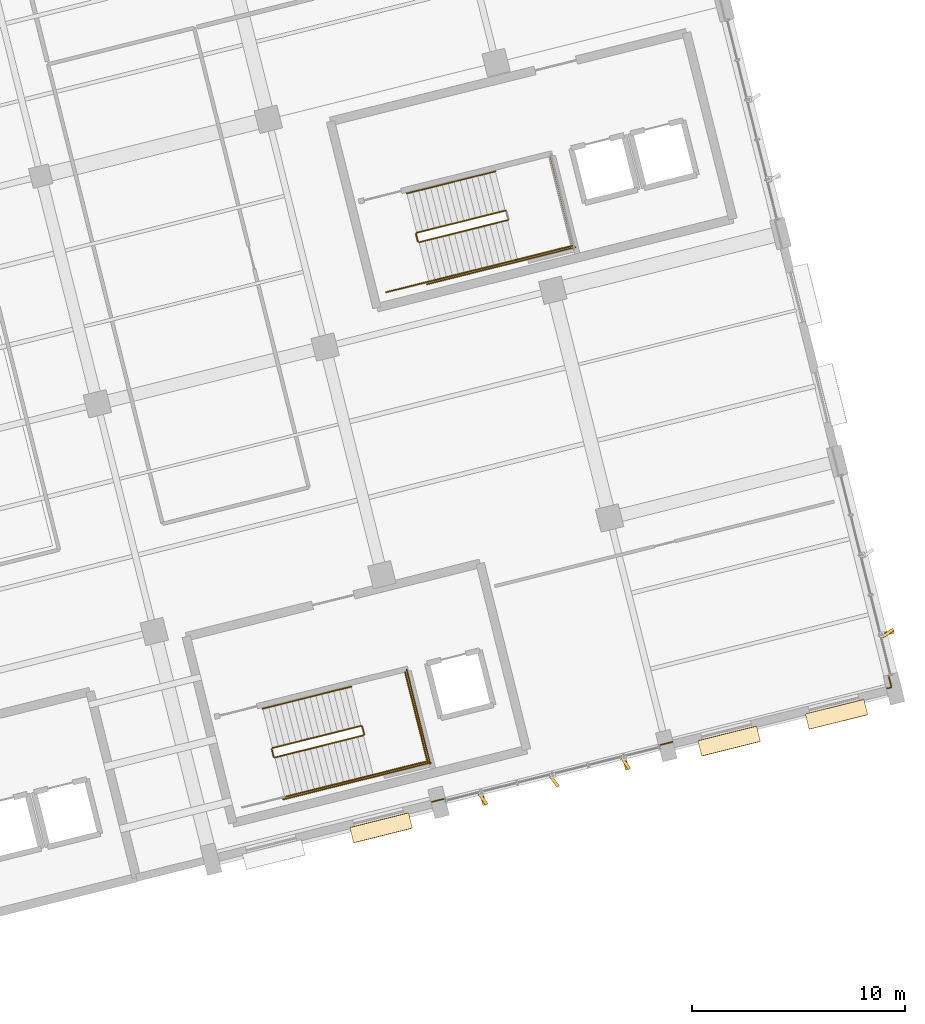
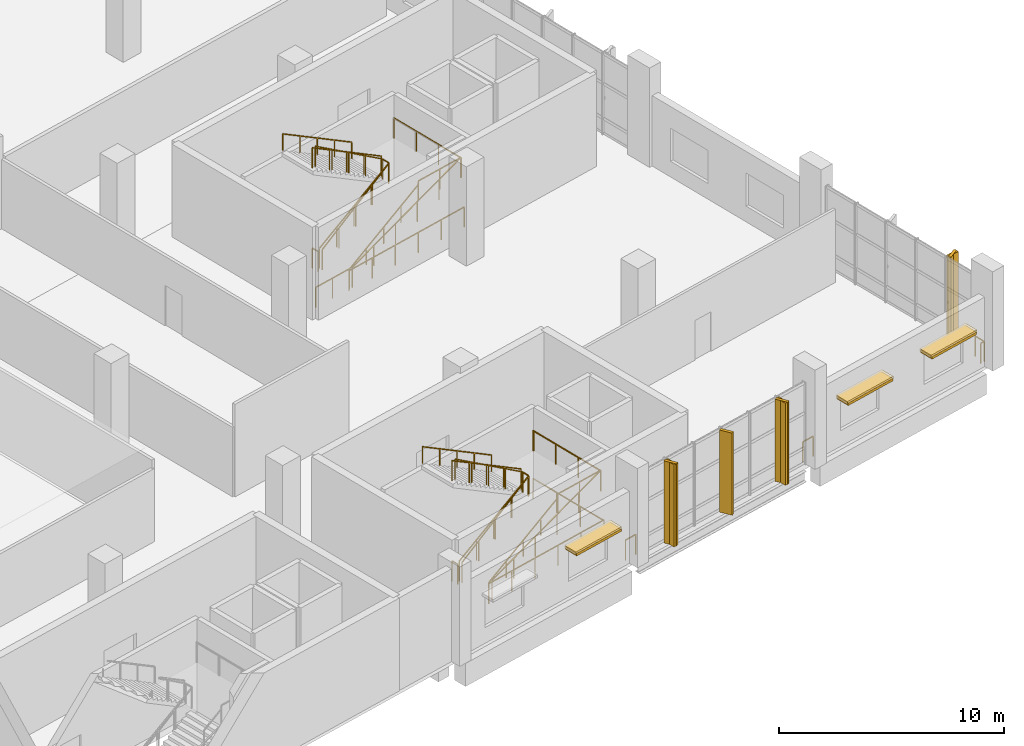
# One storey, part 169 of 176: 25 railings, 7 shading devices, 6 coverings.
"""IFC4 building model written with IfcOpenShell, lengths in metres."""

from ifc_helpers import new_model, si_unit, direction, frame, origin, origin_2d, place, context, subcontext, project, spatial, rectangle, extrude, material, layer, layer_set, type_object, element, save


model = new_model("IFC4")

# Units and contexts
model_context = context("Model", 3, precision=1e-05, world=origin(), true_north=direction((0.0, 1.0)))
body_context = subcontext(model_context, "Body", "Model", "MODEL_VIEW")
ifc_project = project(units=[si_unit("LENGTHUNIT", "METRE"), si_unit("AREAUNIT", "SQUARE_METRE"), si_unit("VOLUMEUNIT", "CUBIC_METRE"), si_unit("PLANEANGLEUNIT", "RADIAN"), si_unit("MASSUNIT", "GRAM", prefix="KILO")], contexts=[model_context])

# Site, building, storey
site_placement = place(None, origin())
site = spatial("IfcSite", under=ifc_project, at=site_placement, CompositionType="ELEMENT")
building_placement = place(site_placement, origin())
building = spatial("IfcBuilding", under=site, at=building_placement, Name="Khorjan Park Terminus", CompositionType="ELEMENT")
storey_placement = place(building_placement, frame((0.0, 0.0, 6.0)))
storey = spatial("IfcBuildingStorey", under=building, at=storey_placement, Name="L01", CompositionType="ELEMENT", Elevation=6.0)

# Coverings
ifc_material_1 = material(Name="Pigmented Precast GRC", Category="concrete")
ifc_layer_1 = layer(ifc_material_1, 0.16)
ifc_layer_set_1 = layer_set([ifc_layer_1], Name="Pigmented Precast GRC")
covering_type_1 = type_object("IfcCoveringType", Name="CV-FIN-GRC", PredefinedType="CLADDING", material=ifc_layer_set_1)
for number, where, z_axis, x_axis, name in (
    (1, (210.7713, 12.7969, -0.02), (0.0, 0.0, 1.0), (-0.2419218956, 0.970295726276, 0.0), "Projecting desert-sandstone GRC facade fin CL-FN1 (CW-V5-S-L01-B05-1)"),
    (2, (217.4597, 14.4644, -0.02), (0.0, 0.0, 1.0), (-0.2419218956, 0.970295726276, 0.0), "Projecting desert-sandstone GRC facade fin CL-FN1 (CW-V5-S-L01-B05-5)"),
):
    element("IfcCovering", number, at=place(storey_placement, frame(where, z_axis=z_axis, x_axis=x_axis)), inside=storey, type_object=covering_type_1, Name=name, PredefinedType="CLADDING", context=body_context, shape_type="SweptSolid", body=[
        extrude(rectangle(XDim=0.58, YDim=0.16, at=origin_2d()), origin(), (0.0, 0.0, 1.0), 4.465),
    ])
covering_placement = place(storey_placement, frame((229.7531, 20.5833, -0.02), z_axis=(0.0, 0.0, 1.0), x_axis=(-0.970295726276, -0.2419218956, 0.0)))
element("IfcCovering", 3, at=covering_placement, inside=storey, type_object=covering_type_1, Name="Projecting desert-sandstone GRC facade fin CL-FN1 (CW-V5-E-L01-B01-1)", PredefinedType="CLADDING", context=body_context, shape_type="SweptSolid", body=[
    extrude(rectangle(XDim=0.58, YDim=0.16, at=origin_2d()), origin(), (0.0, 0.0, 1.0), 4.425),
])
ifc_layer_2 = layer(ifc_material_1, 0.18)
ifc_layer_set_2 = layer_set([ifc_layer_2], Name="Pigmented Precast GRC")
covering_type_2 = type_object("IfcCoveringType", Name="CV-HOOD-GRC", PredefinedType="CLADDING", material=ifc_layer_set_2)
for number, where, z_axis, x_axis, name in (
    (4, (205.9941, 11.4512, 2.73), (0.0, 0.0, 1.0), (0.970293766672, 0.241929755007, 0.0), "Projecting desert-sandstone GRC window eyebrow CL-HD1 (EW-V5-S-L01-B04-2)"),
    (5, (222.3096, 15.5191, 2.73), (0.0, 0.0, 1.0), (0.970298281519, 0.241911646849, 0.0), "Projecting desert-sandstone GRC window eyebrow CL-HD1 (EW-V5-S-L01-B06-1)"),
    (6, (227.3408, 16.7735, 2.73), (0.0, 0.0, 1.0), (0.970298281519, 0.241911646849, 0.0), "Projecting desert-sandstone GRC window eyebrow CL-HD1 (EW-V5-S-L01-B06-2)"),
):
    element("IfcCovering", number, at=place(storey_placement, frame(where, z_axis=z_axis, x_axis=x_axis)), inside=storey, type_object=covering_type_2, Name=name, PredefinedType="CLADDING", context=body_context, shape_type="SweptSolid", body=[
        extrude(rectangle(XDim=2.84, YDim=0.74, at=origin_2d()), origin(), (0.0, 0.0, 1.0), 0.16),
    ])

# Railings
ifc_material_2 = material(Name="Steel S355", Category="steel")
railing_type_1 = type_object("IfcRailingType", Name="GR-112", PredefinedType="GUARDRAIL", material=ifc_material_2)
railing_1_placement = place(storey_placement, frame((207.7735, 38.902, 0.1688)))
element("IfcRailing", 7, at=railing_1_placement, inside=storey, type_object=railing_type_1, Name="L01 ST-04 stair guard 1", PredefinedType="GUARDRAIL", context=body_context, shape_type="SweptSolid", body=[
    extrude(rectangle(XDim=0.048, YDim=0.048, at=origin_2d()), frame((0.0, 0.0, 1.096), z_axis=(0.8349160709, 0.208185557409, 0.509483982319), x_axis=(-0.241941153167, 0.970290924622, 0.0)), (0.0, 0.0, 1.0), 4.9682),
    extrude(rectangle(XDim=0.042, YDim=0.042, at=origin_2d()), origin(), (0.0, 0.0, 1.0), 1.072),
    extrude(rectangle(XDim=0.042, YDim=0.042, at=origin_2d()), frame((1.037, 0.2586, 0.6328)), (0.0, 0.0, 1.0), 1.072),
    extrude(rectangle(XDim=0.042, YDim=0.042, at=origin_2d()), frame((2.074, 0.5172, 1.2656)), (0.0, 0.0, 1.0), 1.072),
    extrude(rectangle(XDim=0.042, YDim=0.042, at=origin_2d()), frame((3.111, 0.7757, 1.8984)), (0.0, 0.0, 1.0), 1.072),
    extrude(rectangle(XDim=0.042, YDim=0.042, at=origin_2d()), frame((4.148, 1.0343, 2.5312)), (0.0, 0.0, 1.0), 1.072),
])
railing_2_placement = place(storey_placement, frame((212.3811, 38.0927, 2.7)))
element("IfcRailing", 8, at=railing_2_placement, inside=storey, type_object=railing_type_1, Name="L01 ST-04 stair guard 3", PredefinedType="GUARDRAIL", context=body_context, shape_type="SweptSolid", body=[
    extrude(rectangle(XDim=0.048, YDim=0.048, at=origin_2d()), frame((0.0, 0.0, 1.096), z_axis=(0.970299010002, 0.241908724911, 0.0), x_axis=(-0.241908724911, 0.970299010002, 0.0)), (0.0, 0.0, 1.0), 2.6651),
    extrude(rectangle(XDim=0.042, YDim=0.042, at=origin_2d()), origin(), (0.0, 0.0, 1.0), 1.072),
    extrude(rectangle(XDim=0.042, YDim=0.042, at=origin_2d()), frame((1.293, 0.3224, 0.0)), (0.0, 0.0, 1.0), 1.072),
    extrude(rectangle(XDim=0.042, YDim=0.042, at=origin_2d()), frame((2.5859, 0.6447, 0.0)), (0.0, 0.0, 1.0), 1.072),
])
railing_3_placement = place(storey_placement, frame((211.8102, 40.3826, 2.8688)))
element("IfcRailing", 9, at=railing_3_placement, inside=storey, type_object=railing_type_1, Name="L01 ST-04 stair guard 5", PredefinedType="GUARDRAIL", context=body_context, shape_type="SweptSolid", body=[
    extrude(rectangle(XDim=0.048, YDim=0.048, at=origin_2d()), frame((0.0, 0.0, 1.096), z_axis=(-0.834919569378, -0.208166301507, 0.509486117167), x_axis=(0.241919130453, -0.9702964157, 0.0)), (0.0, 0.0, 1.0), 4.9681),
    extrude(rectangle(XDim=0.042, YDim=0.042, at=origin_2d()), origin(), (0.0, 0.0, 1.0), 1.072),
    extrude(rectangle(XDim=0.042, YDim=0.042, at=origin_2d()), frame((-1.037, -0.2585, 0.6328)), (0.0, 0.0, 1.0), 1.072),
    extrude(rectangle(XDim=0.042, YDim=0.042, at=origin_2d()), frame((-2.074, -0.5171, 1.2656)), (0.0, 0.0, 1.0), 1.072),
    extrude(rectangle(XDim=0.042, YDim=0.042, at=origin_2d()), frame((-3.111, -0.7756, 1.8984)), (0.0, 0.0, 1.0), 1.072),
    extrude(rectangle(XDim=0.042, YDim=0.042, at=origin_2d()), frame((-4.148, -1.0342, 2.5312)), (0.0, 0.0, 1.0), 1.072),
])
railing_4_placement = place(storey_placement, frame((207.7129, 38.9385, 0.0)))
element("IfcRailing", 10, at=railing_4_placement, inside=storey, type_object=railing_type_1, Name="L01 ST-04 stair guard 6", PredefinedType="GUARDRAIL", context=body_context, shape_type="SweptSolid", body=[
    extrude(rectangle(XDim=0.048, YDim=0.048, at=origin_2d()), frame((0.0, 0.0, 1.096), z_axis=(-0.241947338122, 0.970289382388, 0.0), x_axis=(-0.970289382388, -0.241947338122, 0.0)), (0.0, 0.0, 1.0), 0.36),
    extrude(rectangle(XDim=0.042, YDim=0.042, at=origin_2d()), origin(), (0.0, 0.0, 1.0), 1.072),
    extrude(rectangle(XDim=0.042, YDim=0.042, at=origin_2d()), frame((-0.0871, 0.3493, 0.0)), (0.0, 0.0, 1.0), 1.072),
])
railing_5_placement = place(storey_placement, frame((206.2343, 36.5601, 0.0)))
element("IfcRailing", 11, at=railing_5_placement, inside=storey, type_object=railing_type_1, Name="L01 ST-04 stair guard 7", PredefinedType="GUARDRAIL", context=body_context, shape_type="SweptSolid", body=[
    extrude(rectangle(XDim=0.048, YDim=0.048, at=origin_2d()), frame((0.0, 0.0, 1.096), z_axis=(0.97029080484, 0.241941633546, 0.0), x_axis=(-0.241941633546, 0.97029080484, 0.0)), (0.0, 0.0, 1.0), 2.06),
    extrude(rectangle(XDim=0.042, YDim=0.042, at=origin_2d()), origin(), (0.0, 0.0, 1.0), 1.072),
    extrude(rectangle(XDim=0.042, YDim=0.042, at=origin_2d()), frame((0.9994, 0.2492, 0.0)), (0.0, 0.0, 1.0), 1.072),
    extrude(rectangle(XDim=0.042, YDim=0.042, at=origin_2d()), frame((1.9988, 0.4984, 0.0)), (0.0, 0.0, 1.0), 1.072),
])
railing_6_placement = place(storey_placement, frame((208.1603, 36.9373, 0.0)))
element("IfcRailing", 12, at=railing_6_placement, inside=storey, type_object=railing_type_1, Name="L01 ST-04 stair guard 8", PredefinedType="GUARDRAIL", context=body_context, shape_type="SweptSolid", body=[
    extrude(rectangle(XDim=0.048, YDim=0.048, at=origin_2d()), frame((0.0, 0.0, 1.096), z_axis=(0.970296366402, 0.241919328178, 0.0), x_axis=(-0.241919328178, 0.970296366402, 0.0)), (0.0, 0.0, 1.0), 7.14),
    extrude(rectangle(XDim=0.042, YDim=0.042, at=origin_2d()), origin(), (0.0, 0.0, 1.0), 1.072),
    extrude(rectangle(XDim=0.042, YDim=0.042, at=origin_2d()), frame((1.3856, 0.3455, 0.0)), (0.0, 0.0, 1.0), 1.072),
    extrude(rectangle(XDim=0.042, YDim=0.042, at=origin_2d()), frame((2.7712, 0.6909, 0.0)), (0.0, 0.0, 1.0), 1.072),
    extrude(rectangle(XDim=0.042, YDim=0.042, at=origin_2d()), frame((4.1567, 1.0364, 0.0)), (0.0, 0.0, 1.0), 1.072),
    extrude(rectangle(XDim=0.042, YDim=0.042, at=origin_2d()), frame((5.5423, 1.3818, 0.0)), (0.0, 0.0, 1.0), 1.072),
    extrude(rectangle(XDim=0.042, YDim=0.042, at=origin_2d()), frame((6.9279, 1.7273, 0.0)), (0.0, 0.0, 1.0), 1.072),
])
railing_7_placement = place(storey_placement, frame((207.9457, 38.9553, 0.0)))
element("IfcRailing", 13, at=railing_7_placement, inside=storey, type_object=railing_type_1, Name="Core K4 stair well slot guard GR-112 (L01)", PredefinedType="GUARDRAIL", context=body_context, shape_type="SweptSolid", body=[
    extrude(rectangle(XDim=0.048, YDim=0.048, at=origin_2d()), frame((0.0, 0.0, 1.096), z_axis=(0.812440142396, 0.202553181406, 0.546729570926), x_axis=(-0.241909643258, 0.970298781046, 0.0)), (0.0, 0.0, 1.0), 4.9385),
    extrude(rectangle(XDim=0.048, YDim=0.048, at=origin_2d()), frame((4.0122, 1.0003, 3.796), z_axis=(-0.242000927221, 0.970276018061, 0.0), x_axis=(-0.970276018061, -0.242000927221, 0.0)), (0.0, 0.0, 1.0), 0.4401),
    extrude(rectangle(XDim=0.048, YDim=0.048, at=origin_2d()), frame((3.9057, 1.4273, 3.796), z_axis=(-0.812436809987, -0.202572599749, 0.54672732839), x_axis=(0.24193241153, -0.9702931043, 0.0)), (0.0, 0.0, 1.0), 4.9385),
    extrude(rectangle(XDim=0.042, YDim=0.042, at=origin_2d()), origin(), (0.0, 0.0, 1.0), 1.072),
    extrude(rectangle(XDim=0.042, YDim=0.042, at=origin_2d()), frame((1.0031, 0.2501, 0.675)), (0.0, 0.0, 1.0), 1.072),
    extrude(rectangle(XDim=0.042, YDim=0.042, at=origin_2d()), frame((2.0061, 0.5001, 1.35)), (0.0, 0.0, 1.0), 1.072),
    extrude(rectangle(XDim=0.042, YDim=0.042, at=origin_2d()), frame((3.0092, 0.7502, 2.025)), (0.0, 0.0, 1.0), 1.072),
    extrude(rectangle(XDim=0.042, YDim=0.042, at=origin_2d()), frame((4.0122, 1.0003, 2.7)), (0.0, 0.0, 1.0), 1.072),
    extrude(rectangle(XDim=0.042, YDim=0.042, at=origin_2d()), frame((3.9057, 1.4273, 2.7)), (0.0, 0.0, 1.0), 1.072),
    extrude(rectangle(XDim=0.042, YDim=0.042, at=origin_2d()), frame((2.9027, 1.1772, 3.375)), (0.0, 0.0, 1.0), 1.072),
    extrude(rectangle(XDim=0.042, YDim=0.042, at=origin_2d()), frame((1.8996, 0.9271, 4.05)), (0.0, 0.0, 1.0), 1.072),
    extrude(rectangle(XDim=0.042, YDim=0.042, at=origin_2d()), frame((0.8966, 0.677, 4.725)), (0.0, 0.0, 1.0), 1.072),
    extrude(rectangle(XDim=0.042, YDim=0.042, at=origin_2d()), frame((-0.1065, 0.4269, 5.4)), (0.0, 0.0, 1.0), 1.072),
])
railing_8_placement = place(storey_placement, frame((208.4102, 37.0923, 0.0)))
element("IfcRailing", 14, at=railing_8_placement, inside=storey, type_object=railing_type_1, Name="Core K4 stair side & landing guard GR-112 (L01)", PredefinedType="GUARDRAIL", context=body_context, shape_type="SweptSolid", body=[
    extrude(rectangle(XDim=0.048, YDim=0.048, at=origin_2d()), frame((0.0, 0.0, 1.096), z_axis=(0.900342256578, 0.224478008484, 0.372818246237), x_axis=(-0.241919330403, 0.970296365848, 0.0)), (0.0, 0.0, 1.0), 7.2421),
    extrude(rectangle(XDim=0.048, YDim=0.048, at=origin_2d()), frame((6.5204, 1.6257, 3.796), z_axis=(-0.2419363556, 0.970292120879, 0.0), x_axis=(-0.970292120879, -0.2419363556, 0.0)), (0.0, 0.0, 1.0), 4.2801),
    extrude(rectangle(XDim=0.042, YDim=0.042, at=origin_2d()), origin(), (0.0, 0.0, 1.0), 1.072),
    extrude(rectangle(XDim=0.042, YDim=0.042, at=origin_2d()), frame((1.3041, 0.3251, 0.54)), (0.0, 0.0, 1.0), 1.072),
    extrude(rectangle(XDim=0.042, YDim=0.042, at=origin_2d()), frame((2.6082, 0.6503, 1.08)), (0.0, 0.0, 1.0), 1.072),
    extrude(rectangle(XDim=0.042, YDim=0.042, at=origin_2d()), frame((3.9122, 0.9754, 1.62)), (0.0, 0.0, 1.0), 1.072),
    extrude(rectangle(XDim=0.042, YDim=0.042, at=origin_2d()), frame((5.2163, 1.3006, 2.16)), (0.0, 0.0, 1.0), 1.072),
    extrude(rectangle(XDim=0.042, YDim=0.042, at=origin_2d()), frame((6.5204, 1.6257, 2.7)), (0.0, 0.0, 1.0), 1.072),
    extrude(rectangle(XDim=0.042, YDim=0.042, at=origin_2d()), frame((6.1752, 3.01, 2.7)), (0.0, 0.0, 1.0), 1.072),
    extrude(rectangle(XDim=0.042, YDim=0.042, at=origin_2d()), frame((5.8301, 4.3943, 2.7)), (0.0, 0.0, 1.0), 1.072),
    extrude(rectangle(XDim=0.042, YDim=0.042, at=origin_2d()), frame((5.4849, 5.7786, 2.7)), (0.0, 0.0, 1.0), 1.072),
])
railing_9_placement = place(storey_placement, frame((201.0157, 14.7497, 0.1688)))
element("IfcRailing", 15, at=railing_9_placement, inside=storey, type_object=railing_type_1, Name="L01 ST-05 stair guard 1", PredefinedType="GUARDRAIL", context=body_context, shape_type="SweptSolid", body=[
    extrude(rectangle(XDim=0.048, YDim=0.048, at=origin_2d()), frame((0.0, 0.0, 1.096), z_axis=(0.8349160709, 0.208185557409, 0.509483982319), x_axis=(-0.241941153167, 0.970290924622, 0.0)), (0.0, 0.0, 1.0), 4.9682),
    extrude(rectangle(XDim=0.042, YDim=0.042, at=origin_2d()), origin(), (0.0, 0.0, 1.0), 1.072),
    extrude(rectangle(XDim=0.042, YDim=0.042, at=origin_2d()), frame((1.037, 0.2586, 0.6328)), (0.0, 0.0, 1.0), 1.072),
    extrude(rectangle(XDim=0.042, YDim=0.042, at=origin_2d()), frame((2.074, 0.5171, 1.2656)), (0.0, 0.0, 1.0), 1.072),
    extrude(rectangle(XDim=0.042, YDim=0.042, at=origin_2d()), frame((3.111, 0.7757, 1.8984)), (0.0, 0.0, 1.0), 1.072),
    extrude(rectangle(XDim=0.042, YDim=0.042, at=origin_2d()), frame((4.148, 1.0343, 2.5312)), (0.0, 0.0, 1.0), 1.072),
])
railing_10_placement = place(storey_placement, frame((205.2001, 15.8446, 2.7)))
element("IfcRailing", 16, at=railing_10_placement, inside=storey, type_object=railing_type_1, Name="L01 ST-05 stair guard 2", PredefinedType="GUARDRAIL", context=body_context, shape_type="SweptSolid", body=[
    extrude(rectangle(XDim=0.048, YDim=0.048, at=origin_2d()), frame((0.0, 0.0, 1.096), z_axis=(-0.241947338122, 0.970289382388, 0.0), x_axis=(-0.970289382388, -0.241947338122, 0.0)), (0.0, 0.0, 1.0), 0.36),
    extrude(rectangle(XDim=0.042, YDim=0.042, at=origin_2d()), origin(), (0.0, 0.0, 1.0), 1.072),
    extrude(rectangle(XDim=0.042, YDim=0.042, at=origin_2d()), frame((-0.0871, 0.3493, 0.0)), (0.0, 0.0, 1.0), 1.072),
])
railing_11_placement = place(storey_placement, frame((205.6233, 13.9404, 2.7)))
element("IfcRailing", 17, at=railing_11_placement, inside=storey, type_object=railing_type_1, Name="L01 ST-05 stair guard 3", PredefinedType="GUARDRAIL", context=body_context, shape_type="SweptSolid", body=[
    extrude(rectangle(XDim=0.048, YDim=0.048, at=origin_2d()), frame((0.0, 0.0, 1.096), z_axis=(0.970299010002, 0.241908724911, 0.0), x_axis=(-0.241908724911, 0.970299010002, 0.0)), (0.0, 0.0, 1.0), 2.6651),
    extrude(rectangle(XDim=0.042, YDim=0.042, at=origin_2d()), origin(), (0.0, 0.0, 1.0), 1.072),
    extrude(rectangle(XDim=0.042, YDim=0.042, at=origin_2d()), frame((1.293, 0.3224, 0.0)), (0.0, 0.0, 1.0), 1.072),
    extrude(rectangle(XDim=0.042, YDim=0.042, at=origin_2d()), frame((2.5859, 0.6447, 0.0)), (0.0, 0.0, 1.0), 1.072),
])
railing_12_placement = place(storey_placement, frame((208.1727, 14.5245, 2.7)))
element("IfcRailing", 18, at=railing_12_placement, inside=storey, type_object=railing_type_1, Name="L01 ST-05 stair guard 4", PredefinedType="GUARDRAIL", context=body_context, shape_type="SweptSolid", body=[
    extrude(rectangle(XDim=0.048, YDim=0.048, at=origin_2d()), frame((0.0, 0.0, 1.096), z_axis=(-0.241904163851, 0.970300147125, 0.0), x_axis=(-0.970300147125, -0.241904163851, 0.0)), (0.0, 0.0, 1.0), 4.36),
    extrude(rectangle(XDim=0.042, YDim=0.042, at=origin_2d()), origin(), (0.0, 0.0, 1.0), 1.072),
    extrude(rectangle(XDim=0.042, YDim=0.042, at=origin_2d()), frame((-0.3516, 1.4102, 0.0)), (0.0, 0.0, 1.0), 1.072),
    extrude(rectangle(XDim=0.042, YDim=0.042, at=origin_2d()), frame((-0.7031, 2.8203, 0.0)), (0.0, 0.0, 1.0), 1.072),
    extrude(rectangle(XDim=0.042, YDim=0.042, at=origin_2d()), frame((-1.0547, 4.2305, 0.0)), (0.0, 0.0, 1.0), 1.072),
])
railing_13_placement = place(storey_placement, frame((205.0524, 16.2303, 2.8688)))
element("IfcRailing", 19, at=railing_13_placement, inside=storey, type_object=railing_type_1, Name="L01 ST-05 stair guard 5", PredefinedType="GUARDRAIL", context=body_context, shape_type="SweptSolid", body=[
    extrude(rectangle(XDim=0.048, YDim=0.048, at=origin_2d()), frame((0.0, 0.0, 1.096), z_axis=(-0.834919569378, -0.208166301507, 0.509486117167), x_axis=(0.241919130453, -0.9702964157, 0.0)), (0.0, 0.0, 1.0), 4.9681),
    extrude(rectangle(XDim=0.042, YDim=0.042, at=origin_2d()), origin(), (0.0, 0.0, 1.0), 1.072),
    extrude(rectangle(XDim=0.042, YDim=0.042, at=origin_2d()), frame((-1.037, -0.2586, 0.6328)), (0.0, 0.0, 1.0), 1.072),
    extrude(rectangle(XDim=0.042, YDim=0.042, at=origin_2d()), frame((-2.074, -0.5171, 1.2656)), (0.0, 0.0, 1.0), 1.072),
    extrude(rectangle(XDim=0.042, YDim=0.042, at=origin_2d()), frame((-3.111, -0.7757, 1.8984)), (0.0, 0.0, 1.0), 1.072),
    extrude(rectangle(XDim=0.042, YDim=0.042, at=origin_2d()), frame((-4.148, -1.0342, 2.5312)), (0.0, 0.0, 1.0), 1.072),
])
railing_14_placement = place(storey_placement, frame((200.9551, 14.7862, 0.0)))
element("IfcRailing", 20, at=railing_14_placement, inside=storey, type_object=railing_type_1, Name="L01 ST-05 stair guard 6", PredefinedType="GUARDRAIL", context=body_context, shape_type="SweptSolid", body=[
    extrude(rectangle(XDim=0.048, YDim=0.048, at=origin_2d()), frame((0.0, 0.0, 1.096), z_axis=(-0.241947338122, 0.970289382388, 0.0), x_axis=(-0.970289382388, -0.241947338122, 0.0)), (0.0, 0.0, 1.0), 0.36),
    extrude(rectangle(XDim=0.042, YDim=0.042, at=origin_2d()), origin(), (0.0, 0.0, 1.0), 1.072),
    extrude(rectangle(XDim=0.042, YDim=0.042, at=origin_2d()), frame((-0.0871, 0.3493, 0.0)), (0.0, 0.0, 1.0), 1.072),
])
railing_15_placement = place(storey_placement, frame((201.4025, 12.785, 0.0)))
element("IfcRailing", 21, at=railing_15_placement, inside=storey, type_object=railing_type_1, Name="L01 ST-05 stair guard 8", PredefinedType="GUARDRAIL", context=body_context, shape_type="SweptSolid", body=[
    extrude(rectangle(XDim=0.048, YDim=0.048, at=origin_2d()), frame((0.0, 0.0, 1.096), z_axis=(0.970296366402, 0.241919328178, 0.0), x_axis=(-0.241919328178, 0.970296366402, 0.0)), (0.0, 0.0, 1.0), 7.14),
    extrude(rectangle(XDim=0.042, YDim=0.042, at=origin_2d()), origin(), (0.0, 0.0, 1.0), 1.072),
    extrude(rectangle(XDim=0.042, YDim=0.042, at=origin_2d()), frame((1.3856, 0.3455, 0.0)), (0.0, 0.0, 1.0), 1.072),
    extrude(rectangle(XDim=0.042, YDim=0.042, at=origin_2d()), frame((2.7712, 0.6909, 0.0)), (0.0, 0.0, 1.0), 1.072),
    extrude(rectangle(XDim=0.042, YDim=0.042, at=origin_2d()), frame((4.1567, 1.0364, 0.0)), (0.0, 0.0, 1.0), 1.072),
    extrude(rectangle(XDim=0.042, YDim=0.042, at=origin_2d()), frame((5.5423, 1.3818, 0.0)), (0.0, 0.0, 1.0), 1.072),
    extrude(rectangle(XDim=0.042, YDim=0.042, at=origin_2d()), frame((6.9279, 1.7273, 0.0)), (0.0, 0.0, 1.0), 1.072),
])
railing_16_placement = place(storey_placement, frame((208.294, 14.4517, 0.0)))
element("IfcRailing", 22, at=railing_16_placement, inside=storey, type_object=railing_type_1, Name="L01 ST-05 stair guard 9", PredefinedType="GUARDRAIL", context=body_context, shape_type="SweptSolid", body=[
    extrude(rectangle(XDim=0.048, YDim=0.048, at=origin_2d()), frame((0.0, 0.0, 1.096), z_axis=(-0.24193185783, 0.970293242359, 0.0), x_axis=(-0.970293242359, -0.24193185783, 0.0)), (0.0, 0.0, 1.0), 4.56),
    extrude(rectangle(XDim=0.042, YDim=0.042, at=origin_2d()), origin(), (0.0, 0.0, 1.0), 1.072),
    extrude(rectangle(XDim=0.042, YDim=0.042, at=origin_2d()), frame((-0.3677, 1.4748, 0.0)), (0.0, 0.0, 1.0), 1.072),
    extrude(rectangle(XDim=0.042, YDim=0.042, at=origin_2d()), frame((-0.7355, 2.9497, 0.0)), (0.0, 0.0, 1.0), 1.072),
    extrude(rectangle(XDim=0.042, YDim=0.042, at=origin_2d()), frame((-1.1032, 4.4245, 0.0)), (0.0, 0.0, 1.0), 1.072),
])
railing_17_placement = place(storey_placement, frame((201.1879, 14.803, 0.0)))
element("IfcRailing", 23, at=railing_17_placement, inside=storey, type_object=railing_type_1, Name="Core K5 stair well slot guard GR-112 (L01)", PredefinedType="GUARDRAIL", context=body_context, shape_type="SweptSolid", body=[
    extrude(rectangle(XDim=0.048, YDim=0.048, at=origin_2d()), frame((0.0, 0.0, 1.096), z_axis=(0.812440142396, 0.202553181406, 0.546729570926), x_axis=(-0.241909643258, 0.970298781046, 0.0)), (0.0, 0.0, 1.0), 4.9385),
    extrude(rectangle(XDim=0.048, YDim=0.048, at=origin_2d()), frame((4.0122, 1.0003, 3.796), z_axis=(-0.242000927221, 0.970276018061, 0.0), x_axis=(-0.970276018061, -0.242000927221, 0.0)), (0.0, 0.0, 1.0), 0.4401),
    extrude(rectangle(XDim=0.048, YDim=0.048, at=origin_2d()), frame((3.9057, 1.4273, 3.796), z_axis=(-0.812436809987, -0.202572599749, 0.54672732839), x_axis=(0.24193241153, -0.9702931043, 0.0)), (0.0, 0.0, 1.0), 4.9385),
    extrude(rectangle(XDim=0.042, YDim=0.042, at=origin_2d()), origin(), (0.0, 0.0, 1.0), 1.072),
    extrude(rectangle(XDim=0.042, YDim=0.042, at=origin_2d()), frame((1.003, 0.2501, 0.675)), (0.0, 0.0, 1.0), 1.072),
    extrude(rectangle(XDim=0.042, YDim=0.042, at=origin_2d()), frame((2.0061, 0.5001, 1.35)), (0.0, 0.0, 1.0), 1.072),
    extrude(rectangle(XDim=0.042, YDim=0.042, at=origin_2d()), frame((3.0091, 0.7502, 2.025)), (0.0, 0.0, 1.0), 1.072),
    extrude(rectangle(XDim=0.042, YDim=0.042, at=origin_2d()), frame((4.0122, 1.0003, 2.7)), (0.0, 0.0, 1.0), 1.072),
    extrude(rectangle(XDim=0.042, YDim=0.042, at=origin_2d()), frame((3.9057, 1.4273, 2.7)), (0.0, 0.0, 1.0), 1.072),
    extrude(rectangle(XDim=0.042, YDim=0.042, at=origin_2d()), frame((2.9026, 1.1772, 3.375)), (0.0, 0.0, 1.0), 1.072),
    extrude(rectangle(XDim=0.042, YDim=0.042, at=origin_2d()), frame((1.8996, 0.9271, 4.05)), (0.0, 0.0, 1.0), 1.072),
    extrude(rectangle(XDim=0.042, YDim=0.042, at=origin_2d()), frame((0.8965, 0.677, 4.725)), (0.0, 0.0, 1.0), 1.072),
    extrude(rectangle(XDim=0.042, YDim=0.042, at=origin_2d()), frame((-0.1065, 0.4269, 5.4)), (0.0, 0.0, 1.0), 1.072),
])
railing_18_placement = place(storey_placement, frame((201.6524, 12.94, 0.0)))
element("IfcRailing", 24, at=railing_18_placement, inside=storey, type_object=railing_type_1, Name="Core K5 stair side & landing guard GR-112 (L01)", PredefinedType="GUARDRAIL", context=body_context, shape_type="SweptSolid", body=[
    extrude(rectangle(XDim=0.048, YDim=0.048, at=origin_2d()), frame((0.0, 0.0, 1.096), z_axis=(0.900342256578, 0.224478008484, 0.372818246237), x_axis=(-0.241919330403, 0.970296365848, 0.0)), (0.0, 0.0, 1.0), 7.2421),
    extrude(rectangle(XDim=0.048, YDim=0.048, at=origin_2d()), frame((6.5204, 1.6257, 3.796), z_axis=(-0.2419363556, 0.970292120879, 0.0), x_axis=(-0.970292120879, -0.2419363556, 0.0)), (0.0, 0.0, 1.0), 4.2801),
    extrude(rectangle(XDim=0.042, YDim=0.042, at=origin_2d()), origin(), (0.0, 0.0, 1.0), 1.072),
    extrude(rectangle(XDim=0.042, YDim=0.042, at=origin_2d()), frame((1.3041, 0.3251, 0.54)), (0.0, 0.0, 1.0), 1.072),
    extrude(rectangle(XDim=0.042, YDim=0.042, at=origin_2d()), frame((2.6082, 0.6503, 1.08)), (0.0, 0.0, 1.0), 1.072),
    extrude(rectangle(XDim=0.042, YDim=0.042, at=origin_2d()), frame((3.9122, 0.9754, 1.62)), (0.0, 0.0, 1.0), 1.072),
    extrude(rectangle(XDim=0.042, YDim=0.042, at=origin_2d()), frame((5.2163, 1.3006, 2.16)), (0.0, 0.0, 1.0), 1.072),
    extrude(rectangle(XDim=0.042, YDim=0.042, at=origin_2d()), frame((6.5204, 1.6257, 2.7)), (0.0, 0.0, 1.0), 1.072),
    extrude(rectangle(XDim=0.042, YDim=0.042, at=origin_2d()), frame((6.1752, 3.01, 2.7)), (0.0, 0.0, 1.0), 1.072),
    extrude(rectangle(XDim=0.042, YDim=0.042, at=origin_2d()), frame((5.8301, 4.3943, 2.7)), (0.0, 0.0, 1.0), 1.072),
    extrude(rectangle(XDim=0.042, YDim=0.042, at=origin_2d()), frame((5.4849, 5.7786, 2.7)), (0.0, 0.0, 1.0), 1.072),
])
railing_19_placement = place(storey_placement, frame((208.9891, 12.8214, 0.0)))
element("IfcRailing", 25, at=railing_19_placement, inside=storey, type_object=railing_type_1, Name="Perimeter safety guard GR-112 (L01-32)", PredefinedType="GUARDRAIL", context=body_context, shape_type="SweptSolid", body=[
    extrude(rectangle(XDim=0.048, YDim=0.048, at=origin_2d()), frame((0.0, 0.0, 1.096), z_axis=(-0.970315518329, -0.241842500175, 0.0), x_axis=(0.241842500175, -0.970315518329, 0.0)), (0.0, 0.0, 1.0), 0.645),
    extrude(rectangle(XDim=0.042, YDim=0.042, at=origin_2d()), origin(), (0.0, 0.0, 1.0), 1.072),
    extrude(rectangle(XDim=0.042, YDim=0.042, at=origin_2d()), frame((-0.6259, -0.156, 0.0)), (0.0, 0.0, 1.0), 1.072),
])
railing_20_placement = place(storey_placement, frame((219.6475, 15.4789, 0.0)))
element("IfcRailing", 26, at=railing_20_placement, inside=storey, type_object=railing_type_1, Name="Perimeter safety guard GR-112 (L01-35)", PredefinedType="GUARDRAIL", context=body_context, shape_type="SweptSolid", body=[
    extrude(rectangle(XDim=0.048, YDim=0.048, at=origin_2d()), frame((0.0, 0.0, 1.096), z_axis=(-0.970270049618, -0.242024855777, 0.0), x_axis=(0.242024855777, -0.970270049618, 0.0)), (0.0, 0.0, 1.0), 0.645),
    extrude(rectangle(XDim=0.042, YDim=0.042, at=origin_2d()), origin(), (0.0, 0.0, 1.0), 1.072),
    extrude(rectangle(XDim=0.042, YDim=0.042, at=origin_2d()), frame((-0.6258, -0.1561, 0.0)), (0.0, 0.0, 1.0), 1.072),
])
railing_21_placement = place(storey_placement, frame((229.7779, 18.6025, 0.0)))
element("IfcRailing", 27, at=railing_21_placement, inside=storey, type_object=railing_type_1, Name="Perimeter safety guard GR-112 (L01-40)", PredefinedType="GUARDRAIL", context=body_context, shape_type="SweptSolid", body=[
    extrude(rectangle(XDim=0.048, YDim=0.048, at=origin_2d()), frame((0.0, 0.0, 1.096), z_axis=(0.242008337937, -0.970274169691, 0.0), x_axis=(0.970274169691, 0.242008337937, 0.0)), (0.0, 0.0, 1.0), 0.5801),
    extrude(rectangle(XDim=0.048, YDim=0.048, at=origin_2d()), frame((0.1404, -0.5629, 1.096), z_axis=(-0.970388867013, -0.241548021678, 0.0), x_axis=(0.241548021678, -0.970388867013, 0.0)), (0.0, 0.0, 1.0), 0.2145),
    extrude(rectangle(XDim=0.042, YDim=0.042, at=origin_2d()), origin(), (0.0, 0.0, 1.0), 1.072),
    extrude(rectangle(XDim=0.042, YDim=0.042, at=origin_2d()), frame((0.1404, -0.5629, 0.0)), (0.0, 0.0, 1.0), 1.072),
    extrude(rectangle(XDim=0.042, YDim=0.042, at=origin_2d()), frame((-0.0677, -0.6147, 0.0)), (0.0, 0.0, 1.0), 1.072),
])
railing_type_2 = type_object("IfcRailingType", Name="HR-92", PredefinedType="HANDRAIL", material=ifc_material_2)
railing_22_placement = place(storey_placement, frame((208.2331, 37.0585, 0.1688)))
element("IfcRailing", 28, at=railing_22_placement, inside=storey, type_object=railing_type_2, Name="L01 ST-04 stair handrail 1", PredefinedType="HANDRAIL", context=body_context, shape_type="SweptSolid", body=[
    extrude(rectangle(XDim=0.048, YDim=0.048, at=origin_2d()), frame((0.0, 0.0, 0.896), z_axis=(0.834919569378, 0.208166301507, 0.509486117167), x_axis=(-0.241919130453, 0.9702964157, 0.0)), (0.0, 0.0, 1.0), 4.9681),
    extrude(rectangle(XDim=0.042, YDim=0.042, at=origin_2d()), origin(), (0.0, 0.0, 1.0), 0.872),
    extrude(rectangle(XDim=0.042, YDim=0.042, at=origin_2d()), frame((1.037, 0.2585, 0.6328)), (0.0, 0.0, 1.0), 0.872),
    extrude(rectangle(XDim=0.042, YDim=0.042, at=origin_2d()), frame((2.074, 0.5171, 1.2656)), (0.0, 0.0, 1.0), 0.872),
    extrude(rectangle(XDim=0.042, YDim=0.042, at=origin_2d()), frame((3.111, 0.7756, 1.8984)), (0.0, 0.0, 1.0), 0.872),
    extrude(rectangle(XDim=0.042, YDim=0.042, at=origin_2d()), frame((4.148, 1.0342, 2.5312)), (0.0, 0.0, 1.0), 0.872),
])
railing_23_placement = place(storey_placement, frame((211.3505, 42.2261, 2.8688)))
element("IfcRailing", 29, at=railing_23_placement, inside=storey, type_object=railing_type_2, Name="L01 ST-04 stair handrail 2", PredefinedType="HANDRAIL", context=body_context, shape_type="SweptSolid", body=[
    extrude(rectangle(XDim=0.048, YDim=0.048, at=origin_2d()), frame((0.0, 0.0, 0.896), z_axis=(-0.834919569378, -0.208166301507, 0.509486117167), x_axis=(0.241919130453, -0.9702964157, 0.0)), (0.0, 0.0, 1.0), 4.9681),
    extrude(rectangle(XDim=0.042, YDim=0.042, at=origin_2d()), origin(), (0.0, 0.0, 1.0), 0.872),
    extrude(rectangle(XDim=0.042, YDim=0.042, at=origin_2d()), frame((-1.037, -0.2586, 0.6328)), (0.0, 0.0, 1.0), 0.872),
    extrude(rectangle(XDim=0.042, YDim=0.042, at=origin_2d()), frame((-2.074, -0.5171, 1.2656)), (0.0, 0.0, 1.0), 0.872),
    extrude(rectangle(XDim=0.042, YDim=0.042, at=origin_2d()), frame((-3.111, -0.7757, 1.8984)), (0.0, 0.0, 1.0), 0.872),
    extrude(rectangle(XDim=0.042, YDim=0.042, at=origin_2d()), frame((-4.148, -1.0342, 2.5312)), (0.0, 0.0, 1.0), 0.872),
])
railing_24_placement = place(storey_placement, frame((201.4753, 12.9062, 0.1688)))
element("IfcRailing", 30, at=railing_24_placement, inside=storey, type_object=railing_type_2, Name="L01 ST-05 stair handrail 1", PredefinedType="HANDRAIL", context=body_context, shape_type="SweptSolid", body=[
    extrude(rectangle(XDim=0.048, YDim=0.048, at=origin_2d()), frame((0.0, 0.0, 0.896), z_axis=(0.834919569378, 0.208166301507, 0.509486117167), x_axis=(-0.241919130453, 0.9702964157, 0.0)), (0.0, 0.0, 1.0), 4.9681),
    extrude(rectangle(XDim=0.042, YDim=0.042, at=origin_2d()), origin(), (0.0, 0.0, 1.0), 0.872),
    extrude(rectangle(XDim=0.042, YDim=0.042, at=origin_2d()), frame((1.037, 0.2586, 0.6328)), (0.0, 0.0, 1.0), 0.872),
    extrude(rectangle(XDim=0.042, YDim=0.042, at=origin_2d()), frame((2.074, 0.5171, 1.2656)), (0.0, 0.0, 1.0), 0.872),
    extrude(rectangle(XDim=0.042, YDim=0.042, at=origin_2d()), frame((3.111, 0.7757, 1.8984)), (0.0, 0.0, 1.0), 0.872),
    extrude(rectangle(XDim=0.042, YDim=0.042, at=origin_2d()), frame((4.148, 1.0342, 2.5312)), (0.0, 0.0, 1.0), 0.872),
])
railing_25_placement = place(storey_placement, frame((204.5927, 18.0739, 2.8688)))
element("IfcRailing", 31, at=railing_25_placement, inside=storey, type_object=railing_type_2, Name="L01 ST-05 stair handrail 2", PredefinedType="HANDRAIL", context=body_context, shape_type="SweptSolid", body=[
    extrude(rectangle(XDim=0.048, YDim=0.048, at=origin_2d()), frame((0.0, 0.0, 0.896), z_axis=(-0.8349160709, -0.208185557409, 0.509483982319), x_axis=(0.241941153167, -0.970290924622, 0.0)), (0.0, 0.0, 1.0), 4.9682),
    extrude(rectangle(XDim=0.042, YDim=0.042, at=origin_2d()), origin(), (0.0, 0.0, 1.0), 0.872),
    extrude(rectangle(XDim=0.042, YDim=0.042, at=origin_2d()), frame((-1.037, -0.2586, 0.6328)), (0.0, 0.0, 1.0), 0.872),
    extrude(rectangle(XDim=0.042, YDim=0.042, at=origin_2d()), frame((-2.074, -0.5171, 1.2656)), (0.0, 0.0, 1.0), 0.872),
    extrude(rectangle(XDim=0.042, YDim=0.042, at=origin_2d()), frame((-3.111, -0.7757, 1.8984)), (0.0, 0.0, 1.0), 0.872),
    extrude(rectangle(XDim=0.042, YDim=0.042, at=origin_2d()), frame((-4.148, -1.0343, 2.5312)), (0.0, 0.0, 1.0), 0.872),
])

# Shading devices
ifc_material_3 = material(Name="Anodized Bronze Aluminium", Category="aluminium")
shading_device_type_1 = type_object("IfcShadingDeviceType", Name="SD-FIN-620", PredefinedType="JALOUSIE", material=ifc_material_3)
for number, where, z_axis, x_axis, name in (
    (32, (210.7713, 12.7969, -0.02), (0.0, 0.0, 1.0), (-0.587785252292, 0.809016994375, 0.0), "Angled solar brise-soleil fin SF-62 (CW-V5-S-L01-B05-1)"),
    (33, (214.1155, 13.6306, -0.02), (0.0, 0.0, 1.0), (-0.587785252292, 0.809016994375, 0.0), "Angled solar brise-soleil fin SF-62 (CW-V5-S-L01-B05-3)"),
    (34, (217.4597, 14.4644, -0.02), (0.0, 0.0, 1.0), (-0.587785252292, 0.809016994375, 0.0), "Angled solar brise-soleil fin SF-62 (CW-V5-S-L01-B05-5)"),
):
    element("IfcShadingDevice", number, at=place(storey_placement, frame(where, z_axis=z_axis, x_axis=x_axis)), inside=storey, type_object=shading_device_type_1, Name=name, PredefinedType="JALOUSIE", context=body_context, shape_type="SweptSolid", body=[
        extrude(rectangle(XDim=0.62, YDim=0.14, at=origin_2d()), origin(), (0.0, 0.0, 1.0), 4.465),
    ])
shading_device_placement = place(storey_placement, frame((229.7531, 20.5833, -0.02), z_axis=(0.0, 0.0, 1.0), x_axis=(-0.809016994375, -0.587785252292, 0.0)))
element("IfcShadingDevice", 35, at=shading_device_placement, inside=storey, type_object=shading_device_type_1, Name="Angled solar brise-soleil fin SF-62 (CW-V5-E-L01-B01-1)", PredefinedType="JALOUSIE", context=body_context, shape_type="SweptSolid", body=[
    extrude(rectangle(XDim=0.62, YDim=0.14, at=origin_2d()), origin(), (0.0, 0.0, 1.0), 4.425),
])
shading_device_type_2 = type_object("IfcShadingDeviceType", Name="SD-SUN-750", PredefinedType="SHUTTER", material=ifc_material_3)
for number, where, z_axis, x_axis, name in (
    (36, (205.9941, 11.4512, 2.66), (0.0, 0.0, 1.0), (0.970293766672, 0.241929755007, 0.0), "Projecting solar overhang hood SH-75 (EW-V5-S-L01-B04-2)"),
    (37, (222.3096, 15.5191, 2.66), (0.0, 0.0, 1.0), (0.970298281519, 0.241911646849, 0.0), "Projecting solar overhang hood SH-75 (EW-V5-S-L01-B06-1)"),
    (38, (227.3408, 16.7735, 2.66), (0.0, 0.0, 1.0), (0.970298281519, 0.241911646849, 0.0), "Projecting solar overhang hood SH-75 (EW-V5-S-L01-B06-2)"),
):
    element("IfcShadingDevice", number, at=place(storey_placement, frame(where, z_axis=z_axis, x_axis=x_axis)), inside=storey, type_object=shading_device_type_2, Name=name, PredefinedType="SHUTTER", context=body_context, shape_type="SweptSolid", body=[
        extrude(rectangle(XDim=2.76, YDim=0.76, at=origin_2d()), origin(), (0.0, 0.0, 1.0), 0.14),
    ])

save(model, "model.ifc")
